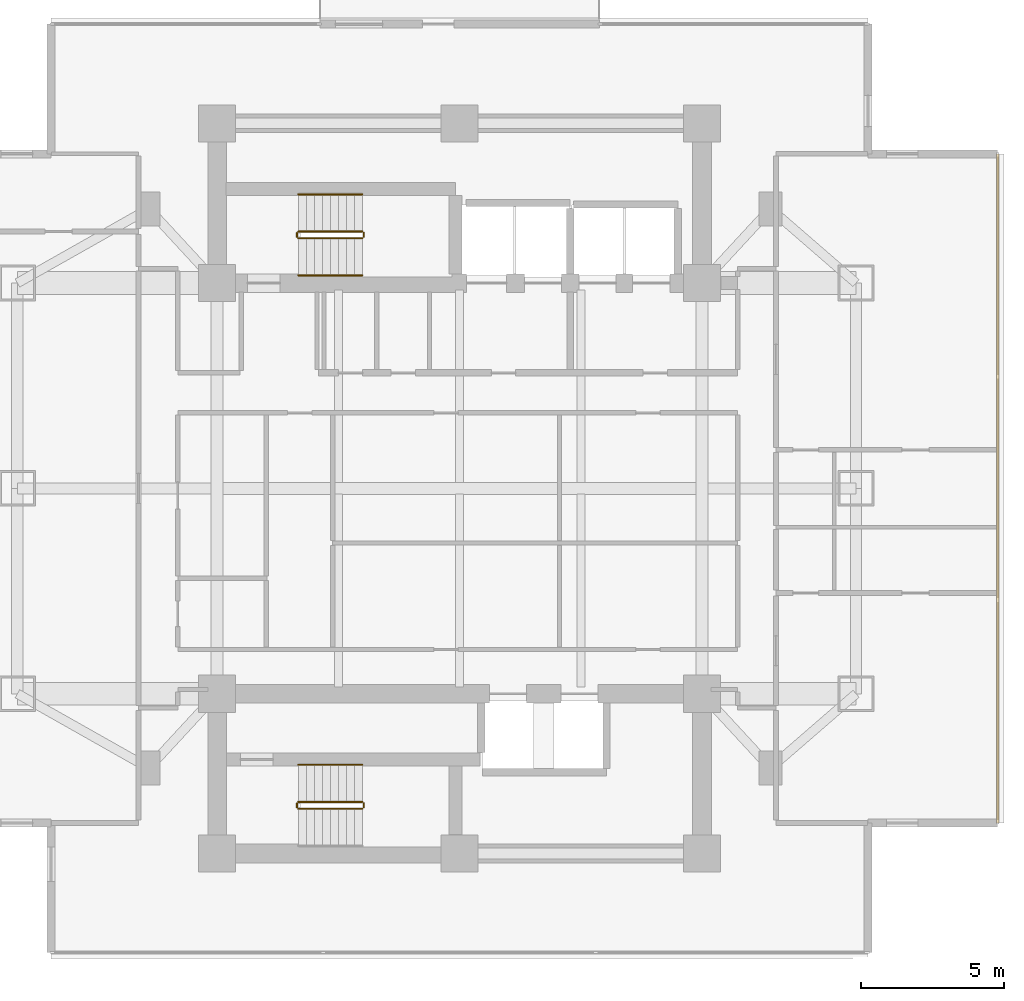
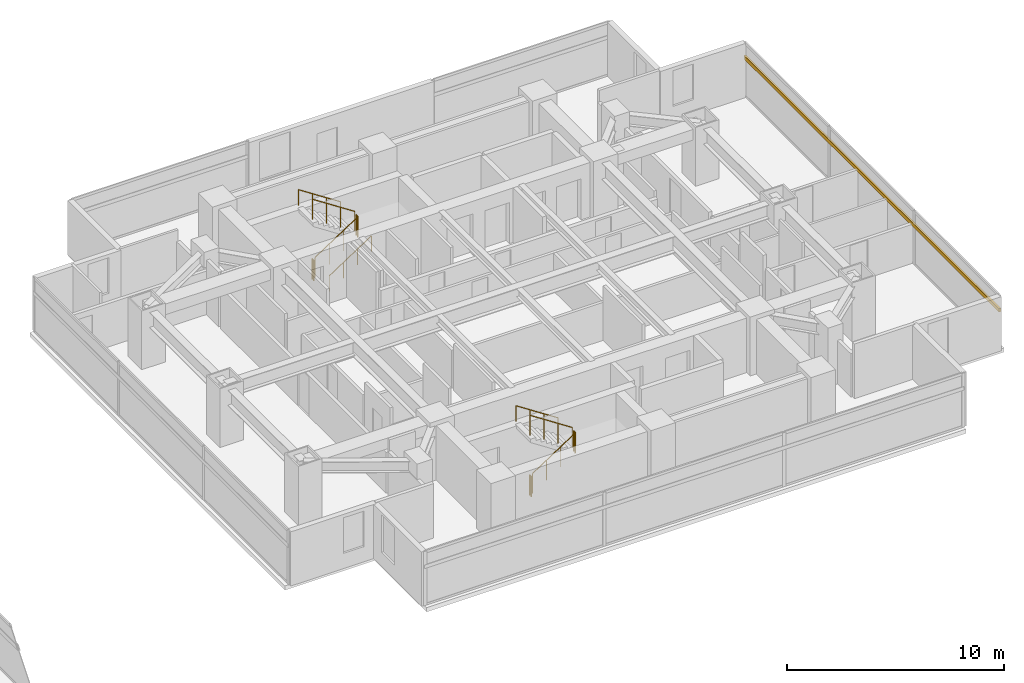
# One storey, part 23 of 24: 11 railings, 1 shading device.
"""IFC4 building model written with IfcOpenShell, lengths in metres."""

import ifcopenshell
import ifcopenshell.guid

model = None  # the IFC model being written
_history = None  # IfcOwnerHistory: only IFC2X3 demands one
_inside = {}  # id of a spatial element -> (the spatial element, [elements in it])
_under = {}  # id of a project, library or spatial element -> (it, [spatial elements below it])
_declared = {}  # id of a project -> (the project, [libraries it declares])
_typed = {}  # id of a type object -> (the type object, [elements of that type])
_made_of = {}  # id of a material, layer set ... -> (it, [elements and type objects made of it])


def new_model(schema):
    """Start an empty IFC model of exactly this schema.

    Asked for "IFC4X3", IfcOpenShell would pick the latest addendum, in which some entities
    have other attributes; the version numbers below select the first issue.
    IFC2X3 requires an IfcOwnerHistory on every rooted entity: one is made here for all.
    """
    global model, _history
    if schema == "IFC4X3":
        model = ifcopenshell.file(schema_version=(4, 3, 0, 0))
    else:
        model = ifcopenshell.file(schema=schema)
    _inside.clear()
    _under.clear()
    _declared.clear()
    _typed.clear()
    _made_of.clear()
    _history = None
    if model.schema == "IFC2X3":
        org = make("IfcOrganization", Name="unknown")
        user = make(
            "IfcPersonAndOrganization",
            ThePerson=make("IfcPerson", FamilyName="unknown"),
            TheOrganization=org,
        )
        app = make(
            "IfcApplication",
            ApplicationDeveloper=org,
            Version="unknown",
            ApplicationFullName="unknown",
            ApplicationIdentifier="unknown",
        )
        _history = make(
            "IfcOwnerHistory",
            OwningUser=user,
            OwningApplication=app,
            ChangeAction="ADDED",
            CreationDate=0,
        )
    return model


def make(cls, **values):
    """One entity of the class cls with the attributes given. An attribute that is None is left unset."""
    return model.create_entity(
        cls, **{name: value for name, value in values.items() if value is not None}
    )


def rooted(cls, **values):
    """An entity with a GlobalId (a new one), such as an element, a storey or a relation."""
    return make(cls, GlobalId=ifcopenshell.guid.new(), OwnerHistory=_history, **values)


def si_unit(unit_type, name, prefix=None):
    """IfcSIUnit, for example si_unit("LENGTHUNIT", "METRE", prefix="MILLI")."""
    return make("IfcSIUnit", UnitType=unit_type, Prefix=prefix, Name=name)


def assignment(units):
    """IfcUnitAssignment: the units of a project."""
    return None if units is None else make("IfcUnitAssignment", Units=units)


def point(xyz):
    """IfcCartesianPoint."""
    return None if xyz is None else make("IfcCartesianPoint", Coordinates=xyz)


def direction(xyz):
    """IfcDirection."""
    return None if xyz is None else make("IfcDirection", DirectionRatios=xyz)


def frame(location, z_axis=None, x_axis=None):
    """IfcAxis2Placement3D, a coordinate frame: its origin and axes. An axis left out is left unset."""
    return make(
        "IfcAxis2Placement3D",
        Location=point(location),
        Axis=direction(z_axis),
        RefDirection=direction(x_axis),
    )


def frame_2d(location, x_axis=None):
    """IfcAxis2Placement2D, a coordinate frame in the plane: its origin and x axis."""
    return make(
        "IfcAxis2Placement2D", Location=point(location), RefDirection=direction(x_axis)
    )


def origin():
    """The frame at (0, 0, 0) with its axes left unset."""
    return frame((0.0, 0.0, 0.0))


def origin_2d():
    """The frame at (0, 0) in the plane with its x axis left unset."""
    return frame_2d((0.0, 0.0))


def place(relative_to, where):
    """IfcLocalPlacement: puts the frame where relative to a parent placement (None: the world)."""
    return make(
        "IfcLocalPlacement", PlacementRelTo=relative_to, RelativePlacement=where
    )


def context(
    kind, dimensions, precision=None, world=None, true_north=None, identifier=None
):
    """IfcGeometricRepresentationContext, for example the 3D "Model" context."""
    return make(
        "IfcGeometricRepresentationContext",
        ContextIdentifier=identifier,
        ContextType=kind,
        CoordinateSpaceDimension=dimensions,
        Precision=precision,
        WorldCoordinateSystem=world,
        TrueNorth=true_north,
    )


def subcontext(parent, identifier, kind, view, scale=None):
    """IfcGeometricRepresentationSubContext, for example "Body" below "Model"."""
    return make(
        "IfcGeometricRepresentationSubContext",
        ContextIdentifier=identifier,
        ContextType=kind,
        ParentContext=parent,
        TargetScale=scale,
        TargetView=view,
    )


def project(units=None, contexts=None):
    """IfcProject with its units and contexts."""
    return rooted(
        "IfcProject",
        Name="project",
        RepresentationContexts=contexts,
        UnitsInContext=assignment(units),
    )


def spatial(cls, under=None, at=None, **own):
    """A site, building, storey or space (cls), placed at a placement, below another one or the project."""
    s = rooted(cls, ObjectPlacement=at, **own)
    if under is not None:
        _under.setdefault(under.id(), (under, []))[1].append(s)
    return s


def profile(cls, at=None, kind="AREA", **sizes):
    """A parametric profile (cls). Its sizes go by their IFC names, for example OverallWidth=200.0."""
    return make(cls, ProfileType=kind, Position=at, **sizes)


def rectangle(**sizes):
    """IfcRectangleProfileDef."""
    return profile("IfcRectangleProfileDef", **sizes)


def circle(**sizes):
    """IfcCircleProfileDef."""
    return profile("IfcCircleProfileDef", **sizes)


def extrude(swept, where, along, depth):
    """IfcExtrudedAreaSolid: the profile swept, set in the frame where, extruded along a direction by depth."""
    return make(
        "IfcExtrudedAreaSolid",
        SweptArea=swept,
        Position=where,
        ExtrudedDirection=direction(along),
        Depth=depth,
    )


def shape(context_of_items, identifier, shape_type, items):
    """IfcShapeRepresentation: the items that make up one representation, for example the "Body"."""
    return make(
        "IfcShapeRepresentation",
        ContextOfItems=context_of_items,
        RepresentationIdentifier=identifier,
        RepresentationType=shape_type,
        Items=items,
    )


def material(Name=None, Category=None):
    """IfcMaterial."""
    return make("IfcMaterial", Name=Name, Category=Category)


def material_profile(
    of_material, cross_section, Name=None, Category=None, Priority=None
):
    """IfcMaterialProfile: a cross section and its material."""
    return make(
        "IfcMaterialProfile",
        Name=Name,
        Material=of_material,
        Profile=cross_section,
        Priority=Priority,
        Category=Category,
    )


def profile_set(profiles, Name=None, composite=None):
    """IfcMaterialProfileSet."""
    return make(
        "IfcMaterialProfileSet",
        Name=Name,
        MaterialProfiles=profiles,
        CompositeProfile=composite,
    )


def made_of(thing, what):
    """Note that an element or type object is made of a material, layer set ...; save() writes the relation."""
    if what is not None:
        _made_of.setdefault(what.id(), (what, []))[1].append(thing)
    return thing


def type_object(cls, material=None, **own):
    """A type object (cls), such as IfcWallType, which elements share."""
    return made_of(rooted(cls, **own), material)


def element(
    cls,
    number,
    at=None,
    inside=None,
    cuts=None,
    type_object=None,
    material=None,
    context=None,
    identifier="Body",
    shape_type=None,
    held_by="IfcProductDefinitionShape",
    body=None,
    shapes=None,
    **own,
):
    """One element of the class cls, such as IfcWall. Its Tag is "e" and its number.

    at: its placement. inside: the storey or other place that contains it. cuts: it is an
    opening in that element (IfcRelVoidsElement). A single representation is given by context,
    identifier, shape_type and body (its items); several are given by shapes. held_by: the class
    of the entity that holds the representations. save() writes the other relations.
    """
    e = rooted(cls, Tag="e%d" % number, ObjectPlacement=at, **own)
    if body is not None:
        shapes = [shape(context, identifier, shape_type, body)]
    if shapes is not None:
        e.Representation = make(held_by, Representations=shapes)
    if inside is not None:
        _inside.setdefault(inside.id(), (inside, []))[1].append(e)
    if cuts is not None:
        rooted(
            "IfcRelVoidsElement", RelatingBuildingElement=cuts, RelatedOpeningElement=e
        )
    if type_object is not None:
        _typed.setdefault(type_object.id(), (type_object, []))[1].append(e)
    return made_of(e, material)


def aggregate(whole, parts):
    """IfcRelAggregates: a whole, such as a stair, and the parts it consists of."""
    return rooted("IfcRelAggregates", RelatingObject=whole, RelatedObjects=parts)


def save(model, path):
    """Write the relations noted so far, then the file.

    IfcRelAggregates (storeys below a building ...), IfcRelContainedInSpatialStructure (elements
    in a storey), IfcRelDefinesByType, IfcRelAssociatesMaterial and IfcRelDeclares: one each for
    every whole, place, type object, material and project.
    """
    for whole, parts in _under.values():
        aggregate(whole, parts)
    for where, things in _inside.values():
        rooted(
            "IfcRelContainedInSpatialStructure",
            RelatedElements=things,
            RelatingStructure=where,
        )
    for kind, things in _typed.values():
        rooted("IfcRelDefinesByType", RelatedObjects=things, RelatingType=kind)
    for what, things in _made_of.values():
        rooted("IfcRelAssociatesMaterial", RelatedObjects=things, RelatingMaterial=what)
    for by, libraries in _declared.values():
        rooted("IfcRelDeclares", RelatingContext=by, RelatedDefinitions=libraries)
    model.write(path)


model = new_model("IFC4")

# Units and contexts
model_context = context("Model", 3, precision=1e-05, world=origin(), true_north=direction((0.0, 1.0)))
body_context = subcontext(model_context, "Body", "Model", "MODEL_VIEW")
ifc_project = project(units=[si_unit("LENGTHUNIT", "METRE"), si_unit("AREAUNIT", "SQUARE_METRE"), si_unit("VOLUMEUNIT", "CUBIC_METRE"), si_unit("PLANEANGLEUNIT", "RADIAN"), si_unit("MASSUNIT", "GRAM", prefix="KILO")], contexts=[model_context])

# Site, building, storey
site_placement = place(None, origin())
site = spatial("IfcSite", under=ifc_project, at=site_placement, CompositionType="ELEMENT")
building_placement = place(site_placement, origin())
building = spatial("IfcBuilding", under=site, at=building_placement, Name="Mirazonda Arch Towers", CompositionType="ELEMENT")
storey_placement = place(building_placement, frame((0.0, 0.0, 71.89990234375)))
storey = spatial("IfcBuildingStorey", under=building, at=storey_placement, Name="L20", CompositionType="ELEMENT", Elevation=71.89990234375)

# Shading device
ifc_material_1 = material(Name="Kiln-Fired Architectural Terracotta", Category="masonry")
ifc_material_profile = material_profile(ifc_material_1, rectangle(XDim=0.10009765625, YDim=0.199951171875, at=origin_2d()), Name="TERRA-BAG-100x200")
ifc_profile_set = profile_set([ifc_material_profile], Name="Kiln-Fired Architectural Terracotta")
shading_device_type = type_object("IfcShadingDeviceType", Name="BAGUETTE-2", PredefinedType="USERDEFINED", material=ifc_profile_set)
shading_device_placement = place(storey_placement, frame((95.367919921875, 16.270263671875, 2.18896484375), z_axis=(0.0, 1.0, 0.0), x_axis=(-1.0, 0.0, 0.0)))
element("IfcShadingDevice", 1, at=shading_device_placement, inside=storey, type_object=shading_device_type, Name="L20 Glazed Terracotta Sun-Screen Baguette CW-L20-T2-E", ObjectType="BAGUETTE", PredefinedType="USERDEFINED", context=body_context, shape_type="SweptSolid", body=[
    extrude(rectangle(XDim=0.10009765625, YDim=0.199951171875, at=origin_2d()), origin(), (0.0, 0.0, 1.0), 23.45947265625),
])

# Railings
ifc_material_2 = material(Name="Architectural Brushed Steel S355", Category="steel")
railing_type_1 = type_object("IfcRailingType", Name="GUARD-STAIR-1120", PredefinedType="GUARDRAIL", material=ifc_material_2)
railing_1_placement = place(storey_placement, frame((70.85009765625, 36.77001953125, 0.183349609375)))
element("IfcRailing", 2, at=railing_1_placement, inside=storey, type_object=railing_type_1, Name="L20 ST-T2N stair guard 1", PredefinedType="GUARDRAIL", context=body_context, shape_type="SweptSolid", body=[
    extrude(circle(Radius=0.02392578125, at=origin_2d()), frame((0.0, 0.0, 1.1259765625), z_axis=(0.836595146698, 0.0, 0.547821650285), x_axis=(0.0, 1.0, 0.0)), (0.0, 0.0, 1.0), 2.677490234375),
    extrude(circle(Radius=0.02099609375, at=origin_2d()), origin(), (0.0, 0.0, 1.0), 1.101806640625),
    extrude(circle(Radius=0.02099609375, at=origin_2d()), frame((0.74658203125, 0.0, 0.489013671875)), (0.0, 0.0, 1.0), 1.101806640625),
    extrude(circle(Radius=0.02099609375, at=origin_2d()), frame((1.493408203125, 0.0, 0.977783203125)), (0.0, 0.0, 1.0), 1.101806640625),
    extrude(circle(Radius=0.02099609375, at=origin_2d()), frame((2.239990234375, 0.0, 1.466796875)), (0.0, 0.0, 1.0), 1.101806640625),
])
railing_2_placement = place(storey_placement, frame((73.139892578125, 36.820068359375, 1.650146484375)))
element("IfcRailing", 3, at=railing_2_placement, inside=storey, type_object=railing_type_1, Name="L20 ST-T2N stair guard 2", PredefinedType="GUARDRAIL", context=body_context, shape_type="SweptSolid", body=[
    extrude(circle(Radius=0.02392578125, at=origin_2d()), frame((0.0, 0.0, 1.1259765625), z_axis=(0.0, 1.0, 0.0), x_axis=(-1.0, 0.0, 0.0)), (0.0, 0.0, 1.0), 0.139892578125),
    extrude(circle(Radius=0.02099609375, at=origin_2d()), origin(), (0.0, 0.0, 1.0), 1.101806640625),
    extrude(circle(Radius=0.02099609375, at=origin_2d()), frame((0.0, 0.139892578125, 0.0)), (0.0, 0.0, 1.0), 1.101806640625),
])
railing_3_placement = place(storey_placement, frame((73.090087890625, 37.010009765625, 1.83349609375)))
element("IfcRailing", 4, at=railing_3_placement, inside=storey, type_object=railing_type_1, Name="L20 ST-T2N stair guard 3", PredefinedType="GUARDRAIL", context=body_context, shape_type="SweptSolid", body=[
    extrude(circle(Radius=0.02392578125, at=origin_2d()), frame((0.0, 0.0, 1.1259765625), z_axis=(-0.836636935527, 0.0, 0.547757827979), x_axis=(0.0, -1.0, 0.0)), (0.0, 0.0, 1.0), 2.677490234375),
    extrude(circle(Radius=0.02099609375, at=origin_2d()), origin(), (0.0, 0.0, 1.0), 1.101806640625),
    extrude(circle(Radius=0.02099609375, at=origin_2d()), frame((-0.74658203125, 0.0, 0.48876953125)), (0.0, 0.0, 1.0), 1.101806640625),
    extrude(circle(Radius=0.02099609375, at=origin_2d()), frame((-1.493408203125, 0.0, 0.977783203125)), (0.0, 0.0, 1.0), 1.101806640625),
    extrude(circle(Radius=0.02099609375, at=origin_2d()), frame((-2.239990234375, 0.0, 1.466552734375)), (0.0, 0.0, 1.0), 1.101806640625),
])
railing_4_placement = place(storey_placement, frame((70.800048828125, 36.820068359375, 0.0)))
element("IfcRailing", 5, at=railing_4_placement, inside=storey, type_object=railing_type_1, Name="L20 ST-T2N stair guard 4", PredefinedType="GUARDRAIL", context=body_context, shape_type="SweptSolid", body=[
    extrude(circle(Radius=0.02392578125, at=origin_2d()), frame((0.0, 0.0, 1.1259765625), z_axis=(0.0, 1.0, 0.0), x_axis=(-1.0, 0.0, 0.0)), (0.0, 0.0, 1.0), 0.139892578125),
    extrude(circle(Radius=0.02099609375, at=origin_2d()), origin(), (0.0, 0.0, 1.0), 1.101806640625),
    extrude(circle(Radius=0.02099609375, at=origin_2d()), frame((0.0, 0.139892578125, 0.0)), (0.0, 0.0, 1.0), 1.101806640625),
])
railing_5_placement = place(storey_placement, frame((70.85009765625, 16.77001953125, 0.183349609375)))
element("IfcRailing", 6, at=railing_5_placement, inside=storey, type_object=railing_type_1, Name="L20 ST-T2S stair guard 1", PredefinedType="GUARDRAIL", context=body_context, shape_type="SweptSolid", body=[
    extrude(circle(Radius=0.02392578125, at=origin_2d()), frame((0.0, 0.0, 1.1259765625), z_axis=(0.836595146698, 0.0, 0.547821650285), x_axis=(0.0, 1.0, 0.0)), (0.0, 0.0, 1.0), 2.677490234375),
    extrude(circle(Radius=0.02099609375, at=origin_2d()), origin(), (0.0, 0.0, 1.0), 1.101806640625),
    extrude(circle(Radius=0.02099609375, at=origin_2d()), frame((0.74658203125, 0.0, 0.489013671875)), (0.0, 0.0, 1.0), 1.101806640625),
    extrude(circle(Radius=0.02099609375, at=origin_2d()), frame((1.493408203125, 0.0, 0.977783203125)), (0.0, 0.0, 1.0), 1.101806640625),
    extrude(circle(Radius=0.02099609375, at=origin_2d()), frame((2.239990234375, 0.0, 1.466796875)), (0.0, 0.0, 1.0), 1.101806640625),
])
railing_6_placement = place(storey_placement, frame((73.139892578125, 16.820068359375, 1.650146484375)))
element("IfcRailing", 7, at=railing_6_placement, inside=storey, type_object=railing_type_1, Name="L20 ST-T2S stair guard 2", PredefinedType="GUARDRAIL", context=body_context, shape_type="SweptSolid", body=[
    extrude(circle(Radius=0.02392578125, at=origin_2d()), frame((0.0, 0.0, 1.1259765625), z_axis=(0.0, 1.0, 0.0), x_axis=(-1.0, 0.0, 0.0)), (0.0, 0.0, 1.0), 0.139892578125),
    extrude(circle(Radius=0.02099609375, at=origin_2d()), origin(), (0.0, 0.0, 1.0), 1.101806640625),
    extrude(circle(Radius=0.02099609375, at=origin_2d()), frame((0.0, 0.139892578125, 0.0)), (0.0, 0.0, 1.0), 1.101806640625),
])
railing_7_placement = place(storey_placement, frame((73.090087890625, 17.010009765625, 1.83349609375)))
element("IfcRailing", 8, at=railing_7_placement, inside=storey, type_object=railing_type_1, Name="L20 ST-T2S stair guard 3", PredefinedType="GUARDRAIL", context=body_context, shape_type="SweptSolid", body=[
    extrude(circle(Radius=0.02392578125, at=origin_2d()), frame((0.0, 0.0, 1.1259765625), z_axis=(-0.836636935527, 0.0, 0.547757827979), x_axis=(0.0, -1.0, 0.0)), (0.0, 0.0, 1.0), 2.677490234375),
    extrude(circle(Radius=0.02099609375, at=origin_2d()), origin(), (0.0, 0.0, 1.0), 1.101806640625),
    extrude(circle(Radius=0.02099609375, at=origin_2d()), frame((-0.74658203125, 0.0, 0.48876953125)), (0.0, 0.0, 1.0), 1.101806640625),
    extrude(circle(Radius=0.02099609375, at=origin_2d()), frame((-1.493408203125, 0.0, 0.977783203125)), (0.0, 0.0, 1.0), 1.101806640625),
    extrude(circle(Radius=0.02099609375, at=origin_2d()), frame((-2.239990234375, 0.0, 1.466552734375)), (0.0, 0.0, 1.0), 1.101806640625),
])
railing_8_placement = place(storey_placement, frame((70.800048828125, 16.820068359375, 0.0)))
element("IfcRailing", 9, at=railing_8_placement, inside=storey, type_object=railing_type_1, Name="L20 ST-T2S stair guard 4", PredefinedType="GUARDRAIL", context=body_context, shape_type="SweptSolid", body=[
    extrude(circle(Radius=0.02392578125, at=origin_2d()), frame((0.0, 0.0, 1.1259765625), z_axis=(0.0, 1.0, 0.0), x_axis=(-1.0, 0.0, 0.0)), (0.0, 0.0, 1.0), 0.139892578125),
    extrude(circle(Radius=0.02099609375, at=origin_2d()), origin(), (0.0, 0.0, 1.0), 1.101806640625),
    extrude(circle(Radius=0.02099609375, at=origin_2d()), frame((0.0, 0.139892578125, 0.0)), (0.0, 0.0, 1.0), 1.101806640625),
])
railing_type_2 = type_object("IfcRailingType", Name="HANDRAIL-915", PredefinedType="HANDRAIL", material=ifc_material_2)
railing_9_placement = place(storey_placement, frame((70.85009765625, 35.469970703125, 0.183349609375)))
element("IfcRailing", 10, at=railing_9_placement, inside=storey, type_object=railing_type_2, Name="L20 ST-T2N stair handrail 1", PredefinedType="HANDRAIL", context=body_context, shape_type="SweptSolid", body=[
    extrude(circle(Radius=0.02392578125, at=origin_2d()), frame((0.0, 0.0, 0.8759765625), z_axis=(0.836595146698, 0.0, 0.547821650285), x_axis=(0.0, 1.0, 0.0)), (0.0, 0.0, 1.0), 2.677490234375),
    extrude(circle(Radius=0.02099609375, at=origin_2d()), origin(), (0.0, 0.0, 1.0), 0.851806640625),
    extrude(circle(Radius=0.02099609375, at=origin_2d()), frame((0.74658203125, 0.0, 0.489013671875)), (0.0, 0.0, 1.0), 0.851806640625),
    extrude(circle(Radius=0.02099609375, at=origin_2d()), frame((1.493408203125, 0.0, 0.977783203125)), (0.0, 0.0, 1.0), 0.851806640625),
    extrude(circle(Radius=0.02099609375, at=origin_2d()), frame((2.239990234375, 0.0, 1.466796875)), (0.0, 0.0, 1.0), 0.851806640625),
])
for number, where, name in (
    (11, (73.090087890625, 38.31005859375, 1.83349609375), "L20 ST-T2N stair handrail 2"),
    (12, (73.090087890625, 18.31005859375, 1.83349609375), "L20 ST-T2S stair handrail 2"),
):
    element("IfcRailing", number, at=place(storey_placement, frame(where)), inside=storey, type_object=railing_type_2, Name=name, PredefinedType="HANDRAIL", context=body_context, shape_type="SweptSolid", body=[
        extrude(circle(Radius=0.02392578125, at=origin_2d()), frame((0.0, 0.0, 0.8759765625), z_axis=(-0.836636935527, 0.0, 0.547757827979), x_axis=(0.0, -1.0, 0.0)), (0.0, 0.0, 1.0), 2.677490234375),
        extrude(circle(Radius=0.02099609375, at=origin_2d()), origin(), (0.0, 0.0, 1.0), 0.851806640625),
        extrude(circle(Radius=0.02099609375, at=origin_2d()), frame((-0.74658203125, 0.0, 0.48876953125)), (0.0, 0.0, 1.0), 0.851806640625),
        extrude(circle(Radius=0.02099609375, at=origin_2d()), frame((-1.493408203125, 0.0, 0.977783203125)), (0.0, 0.0, 1.0), 0.851806640625),
        extrude(circle(Radius=0.02099609375, at=origin_2d()), frame((-2.239990234375, 0.0, 1.466552734375)), (0.0, 0.0, 1.0), 0.851806640625),
    ])

save(model, "model.ifc")
